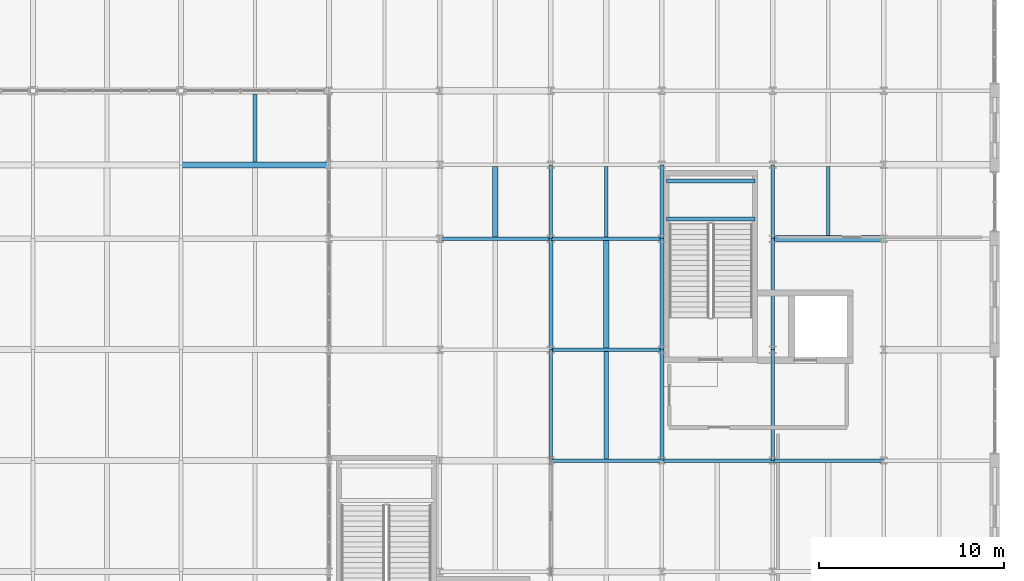
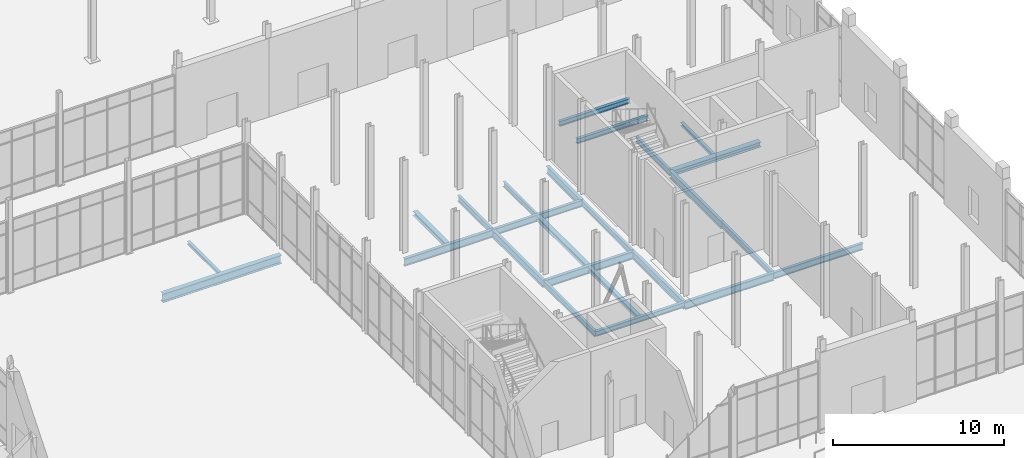
# One storey, part 85 of 140: 25 beams.
"""IFC4 building model written with IfcOpenShell, lengths in metres."""

from ifc_helpers import new_model, si_unit, direction, frame, origin, origin_2d, place, context, subcontext, project, spatial, i_section, extrude, material, material_profile, profile_set, type_object, element, save


model = new_model("IFC4")

# Units and contexts
model_context = context("Model", 3, precision=1e-05, world=origin(), true_north=direction((0.0, 1.0)))
body_context = subcontext(model_context, "Body", "Model", "MODEL_VIEW")
ifc_project = project(units=[si_unit("LENGTHUNIT", "METRE"), si_unit("AREAUNIT", "SQUARE_METRE"), si_unit("VOLUMEUNIT", "CUBIC_METRE"), si_unit("PLANEANGLEUNIT", "RADIAN"), si_unit("MASSUNIT", "GRAM", prefix="KILO")], contexts=[model_context])

# Site, building, storey
site_placement = place(None, origin())
site = spatial("IfcSite", under=ifc_project, at=site_placement, CompositionType="ELEMENT")
building_placement = place(site_placement, origin())
building = spatial("IfcBuilding", under=site, at=building_placement, Name="Verrall Gate Interchange", CompositionType="ELEMENT")
storey_placement = place(building_placement, origin())
storey = spatial("IfcBuildingStorey", under=building, at=storey_placement, Name="L01", CompositionType="ELEMENT", Elevation=0.0)

# Beams
ifc_material_1 = material(Name="Structural Steel CSA G40.21 350WT Cat 4", Category="steel")
ifc_material_profile_1 = material_profile(ifc_material_1, i_section(OverallWidth=0.323974609375, OverallDepth=0.611083984375, WebThickness=0.0126953125, FlangeThickness=0.01904296875, FilletRadius=0.014892578125, at=origin_2d()), Name="W610x155")
ifc_profile_set_1 = profile_set([ifc_material_profile_1], Name="Structural Steel CSA G40.21 350WT Cat 4")
beam_type_1 = type_object("IfcBeamType", Name="B-08 Structural Beam W610x155", PredefinedType="BEAM", material=ifc_profile_set_1)
beam_1_placement = place(storey_placement, frame((124.0, 44.0, -0.805419921875), z_axis=(1.0, 0.0, 0.0), x_axis=(0.0, 1.0, 0.0)))
element("IfcBeam", 1, at=beam_1_placement, inside=storey, type_object=beam_type_1, Name="L01 Girder BM-L01-0903 (B-08)", PredefinedType="BEAM", context=body_context, shape_type="SweptSolid", body=[
    extrude(i_section(OverallWidth=0.323974609375, OverallDepth=0.611083984375, WebThickness=0.0126953125, FlangeThickness=0.01904296875, FilletRadius=0.014892578125, at=origin_2d()), origin(), (0.0, 0.0, 1.0), 8.0),
])
ifc_material_2 = material(Name="Structural Steel CSA G40.21 350W", Category="steel")
ifc_material_profile_2 = material_profile(ifc_material_2, i_section(OverallWidth=0.2109375, OverallDepth=0.5390625, WebThickness=0.01171875, FlangeThickness=0.018798828125, FilletRadius=0.013916015625, at=origin_2d()), Name="W530x109")
ifc_profile_set_2 = profile_set([ifc_material_profile_2], Name="Structural Steel CSA G40.21 350W")
beam_type_2 = type_object("IfcBeamType", Name="B-10 Structural Beam W530x109", PredefinedType="BEAM", material=ifc_profile_set_2)
for number, where, z_axis, x_axis, name in (
    (2, (150.0, 28.0, -0.76953125), (1.0, 0.0, 0.0), (0.0, 1.0, 0.0), "L01 Girder BM-L01-0844 (B-10)"),
    (3, (144.0, 34.0, -0.76953125), (1.0, 0.0, 0.0), (0.0, 1.0, 0.0), "L01 Girder BM-L01-0865 (B-10)"),
    (4, (138.0, 40.0, -0.76953125), (1.0, 0.0, 0.0), (0.0, 1.0, 0.0), "L01 Girder BM-L01-0885 (B-10)"),
    (5, (144.0, 34.0, -0.76953125), (0.0, 1.0, 0.0), (-1.0, 0.0, 0.0), "L01 Girder BM-L01-1215 (B-10)"),
    (6, (150.0, 28.0, -0.76953125), (0.0, 1.0, 0.0), (-1.0, 0.0, 0.0), "L01 Girder BM-L01-1222 (B-10)"),
):
    element("IfcBeam", number, at=place(storey_placement, frame(where, z_axis=z_axis, x_axis=x_axis)), inside=storey, type_object=beam_type_2, Name=name, PredefinedType="BEAM", context=body_context, shape_type="SweptSolid", body=[
        extrude(i_section(OverallWidth=0.2109375, OverallDepth=0.5390625, WebThickness=0.01171875, FlangeThickness=0.018798828125, FilletRadius=0.013916015625, at=origin_2d()), origin(), (0.0, 0.0, 1.0), 6.0),
    ])
beam_2_placement = place(storey_placement, frame((150.0, 40.0, -0.76953125), z_axis=(0.0, 1.0, 0.0), x_axis=(-1.0, 0.0, 0.0)))
element("IfcBeam", 7, at=beam_2_placement, inside=storey, type_object=beam_type_2, Name="L01 Girder BM-L01-1224 (B-10)", PredefinedType="BEAM", context=body_context, shape_type="SweptSolid", body=[
    extrude(i_section(OverallWidth=0.2109375, OverallDepth=0.5390625, WebThickness=0.01171875, FlangeThickness=0.018798828125, FilletRadius=0.013916015625, at=origin_2d()), origin(), (0.0, 0.0, 1.0), 4.0),
])
beam_3_placement = place(storey_placement, frame((156.0, 34.0, -0.76953125), z_axis=(0.0, 1.0, 0.0), x_axis=(-1.0, 0.0, 0.0)))
element("IfcBeam", 8, at=beam_3_placement, inside=storey, type_object=beam_type_2, Name="L01 Girder BM-L01-1231 (B-10)", PredefinedType="BEAM", context=body_context, shape_type="SweptSolid", body=[
    extrude(i_section(OverallWidth=0.2109375, OverallDepth=0.5390625, WebThickness=0.01171875, FlangeThickness=0.018798828125, FilletRadius=0.013916015625, at=origin_2d()), origin(), (0.0, 0.0, 1.0), 6.0),
])
ifc_material_3 = material(Name="Structural Steel CSA G40.21 350W", Category="steel")
ifc_material_profile_3 = material_profile(ifc_material_3, i_section(OverallWidth=0.19189453125, OverallDepth=0.462890625, WebThickness=0.010498046875, FlangeThickness=0.017578125, FilletRadius=0.012939453125, at=origin_2d()), Name="W460x89")
ifc_profile_set_3 = profile_set([ifc_material_profile_3], Name="Structural Steel CSA G40.21 350W")
beam_type_3 = type_object("IfcBeamType", Name="B-11 Structural Beam W460x89", PredefinedType="BEAM", material=ifc_profile_set_3)
for number, where, z_axis, x_axis, name in (
    (9, (156.0, 28.0, -0.7314453125), (1.0, 0.0, 0.0), (0.0, 1.0, 0.0), "L01 Girder BM-L01-0845 (B-11)"),
    (10, (144.0, 40.0, -0.7314453125), (1.0, 0.0, 0.0), (0.0, 1.0, 0.0), "L01 Girder BM-L01-0886 (B-11)"),
):
    element("IfcBeam", number, at=place(storey_placement, frame(where, z_axis=z_axis, x_axis=x_axis)), inside=storey, type_object=beam_type_3, Name=name, PredefinedType="BEAM", context=body_context, shape_type="SweptSolid", body=[
        extrude(i_section(OverallWidth=0.19189453125, OverallDepth=0.462890625, WebThickness=0.010498046875, FlangeThickness=0.017578125, FilletRadius=0.012939453125, at=origin_2d()), origin(), (0.0, 0.0, 1.0), 6.0),
    ])
ifc_material_4 = material(Name="Structural Steel CSA G40.21 350W", Category="steel")
ifc_material_profile_4 = material_profile(ifc_material_4, i_section(OverallWidth=0.178955078125, OverallDepth=0.409912109375, WebThickness=0.0087890625, FlangeThickness=0.014404296875, FilletRadius=0.011962890625, at=origin_2d()), Name="W410x67")
ifc_profile_set_4 = profile_set([ifc_material_profile_4], Name="Structural Steel CSA G40.21 350W")
beam_type_4 = type_object("IfcBeamType", Name="B-12 Structural Beam W410x67", PredefinedType="BEAM", material=ifc_profile_set_4)
beam_4_placement = place(storey_placement, frame((144.0, 28.0, -0.705078125), z_axis=(0.0, 1.0, 0.0), x_axis=(-1.0, 0.0, 0.0)))
element("IfcBeam", 11, at=beam_4_placement, inside=storey, type_object=beam_type_4, Name="L01 Girder BM-L01-1214 (B-12)", PredefinedType="BEAM", context=body_context, shape_type="SweptSolid", body=[
    extrude(i_section(OverallWidth=0.178955078125, OverallDepth=0.409912109375, WebThickness=0.0087890625, FlangeThickness=0.014404296875, FilletRadius=0.011962890625, at=origin_2d()), origin(), (0.0, 0.0, 1.0), 6.0),
])
beam_5_placement = place(storey_placement, frame((144.0, 40.0, -0.705078125), z_axis=(0.0, 1.0, 0.0), x_axis=(-1.0, 0.0, 0.0)))
element("IfcBeam", 12, at=beam_5_placement, inside=storey, type_object=beam_type_4, Name="L01 Girder BM-L01-1216 (B-12)", PredefinedType="BEAM", context=body_context, shape_type="SweptSolid", body=[
    extrude(i_section(OverallWidth=0.178955078125, OverallDepth=0.409912109375, WebThickness=0.0087890625, FlangeThickness=0.014404296875, FilletRadius=0.011962890625, at=origin_2d()), origin(), (0.0, 0.0, 1.0), 4.0),
])
for number, where, z_axis, x_axis, name in (
    (13, (150.0, 34.0, -0.705078125), (0.0, 1.0, 0.0), (-1.0, 0.0, 0.0), "L01 Girder BM-L01-1223 (B-12)"),
    (14, (156.0, 28.0, -0.705078125), (0.0, 1.0, 0.0), (-1.0, 0.0, 0.0), "L01 Girder BM-L01-1230 (B-12)"),
):
    element("IfcBeam", number, at=place(storey_placement, frame(where, z_axis=z_axis, x_axis=x_axis)), inside=storey, type_object=beam_type_4, Name=name, PredefinedType="BEAM", context=body_context, shape_type="SweptSolid", body=[
        extrude(i_section(OverallWidth=0.178955078125, OverallDepth=0.409912109375, WebThickness=0.0087890625, FlangeThickness=0.014404296875, FilletRadius=0.011962890625, at=origin_2d()), origin(), (0.0, 0.0, 1.0), 6.0),
    ])
beam_6_placement = place(storey_placement, frame((156.0, 40.0, -0.705078125), z_axis=(0.0, 1.0, 0.0), x_axis=(-1.0, 0.0, 0.0)))
element("IfcBeam", 15, at=beam_6_placement, inside=storey, type_object=beam_type_4, Name="L01 Girder BM-L01-1232 (B-12)", PredefinedType="BEAM", context=body_context, shape_type="SweptSolid", body=[
    extrude(i_section(OverallWidth=0.178955078125, OverallDepth=0.409912109375, WebThickness=0.0087890625, FlangeThickness=0.014404296875, FilletRadius=0.011962890625, at=origin_2d()), origin(), (0.0, 0.0, 1.0), 4.0),
])
ifc_material_5 = material(Name="Structural Steel CSA G40.21 350W", Category="steel")
ifc_material_profile_5 = material_profile(ifc_material_5, i_section(OverallWidth=0.368896484375, OverallDepth=0.35595703125, WebThickness=0.01123046875, FlangeThickness=0.01806640625, FilletRadius=0.014892578125, at=origin_2d()), Name="W360x134")
ifc_profile_set_5 = profile_set([ifc_material_profile_5], Name="Structural Steel CSA G40.21 350W")
beam_type_5 = type_object("IfcBeamType", Name="B-13 Structural Beam W360x134", PredefinedType="BEAM", material=ifc_profile_set_5)
beam_7_placement = place(storey_placement, frame((156.0, 40.0, -0.677978515625), z_axis=(1.0, 0.0, 0.0), x_axis=(0.0, 1.0, 0.0)))
element("IfcBeam", 16, at=beam_7_placement, inside=storey, type_object=beam_type_5, Name="L01 Girder BM-L01-0887 (B-13)", PredefinedType="BEAM", context=body_context, shape_type="SweptSolid", body=[
    extrude(i_section(OverallWidth=0.368896484375, OverallDepth=0.35595703125, WebThickness=0.01123046875, FlangeThickness=0.01806640625, FilletRadius=0.014892578125, at=origin_2d()), origin(), (0.0, 0.0, 1.0), 6.0),
])
ifc_material_6 = material(Name="Structural Steel CSA G40.21 350W", Category="steel")
ifc_material_profile_6 = material_profile(ifc_material_6, i_section(OverallWidth=0.205078125, OverallDepth=0.35400390625, WebThickness=0.009521484375, FlangeThickness=0.016845703125, FilletRadius=0.012939453125, at=origin_2d()), Name="W360x79")
ifc_profile_set_6 = profile_set([ifc_material_profile_6], Name="Structural Steel CSA G40.21 350W")
beam_type_6 = type_object("IfcBeamType", Name="B-14 Structural Beam W360x79", PredefinedType="BEAM", material=ifc_profile_set_6)
beam_8_placement = place(storey_placement, frame((144.0, 28.0, -0.677001953125), z_axis=(1.0, 0.0, 0.0), x_axis=(0.0, 1.0, 0.0)))
element("IfcBeam", 17, at=beam_8_placement, inside=storey, type_object=beam_type_6, Name="L01 Girder BM-L01-0843 (B-14)", PredefinedType="BEAM", context=body_context, shape_type="SweptSolid", body=[
    extrude(i_section(OverallWidth=0.205078125, OverallDepth=0.35400390625, WebThickness=0.009521484375, FlangeThickness=0.016845703125, FilletRadius=0.012939453125, at=origin_2d()), origin(), (0.0, 0.0, 1.0), 6.0),
])
for number, where, z_axis, x_axis, name in (
    (18, (150.260009765625, 41.070068359375, 2.929931640625), (1.0, 0.0, 0.0), (0.0, 1.0, 0.0), "L01 Core C9 Mid-Landing Beam 1"),
    (19, (150.260009765625, 43.1201171875, 2.929931640625), (1.0, 0.0, 0.0), (0.0, 1.0, 0.0), "L01 Core C9 Mid-Landing Beam 2"),
):
    element("IfcBeam", number, at=place(storey_placement, frame(where, z_axis=z_axis, x_axis=x_axis)), inside=storey, type_object=beam_type_6, Name=name, PredefinedType="BEAM", context=body_context, shape_type="SweptSolid", body=[
        extrude(i_section(OverallWidth=0.205078125, OverallDepth=0.35400390625, WebThickness=0.009521484375, FlangeThickness=0.016845703125, FilletRadius=0.012939453125, at=origin_2d()), origin(), (0.0, 0.0, 1.0), 4.780029296875),
    ])
ifc_material_7 = material(Name="Structural Steel CSA G40.21 350W", Category="steel")
ifc_material_profile_7 = material_profile(ifc_material_7, i_section(OverallWidth=0.172119140625, OverallDepth=0.35791015625, WebThickness=0.0078125, FlangeThickness=0.01318359375, FilletRadius=0.010986328125, at=origin_2d()), Name="W360x57")
ifc_profile_set_7 = profile_set([ifc_material_profile_7], Name="Structural Steel CSA G40.21 350W")
beam_type_7 = type_object("IfcBeamType", Name="J-01 Floor Joist W360x57", PredefinedType="JOIST", material=ifc_profile_set_7)
beam_9_placement = place(storey_placement, frame((147.0, 40.095947265625, -0.678955078125), z_axis=(0.0, 1.0, 0.0), x_axis=(-1.0, 0.0, 0.0)))
element("IfcBeam", 20, at=beam_9_placement, inside=storey, type_object=beam_type_7, Name="L01 Secondary Floor Joist JST-L01-1377", PredefinedType="JOIST", context=body_context, shape_type="SweptSolid", body=[
    extrude(i_section(OverallWidth=0.172119140625, OverallDepth=0.35791015625, WebThickness=0.0078125, FlangeThickness=0.01318359375, FilletRadius=0.010986328125, at=origin_2d()), origin(), (0.0, 0.0, 1.0), 3.798583984375),
])
ifc_material_8 = material(Name="Structural Steel CSA G40.21 350W", Category="steel")
ifc_material_profile_8 = material_profile(ifc_material_8, i_section(OverallWidth=0.306884765625, OverallDepth=0.31396484375, WebThickness=0.011962890625, FlangeThickness=0.018798828125, FilletRadius=0.013916015625, at=origin_2d()), Name="W310x118")
ifc_profile_set_8 = profile_set([ifc_material_profile_8], Name="Structural Steel CSA G40.21 350W")
beam_type_8 = type_object("IfcBeamType", Name="J-02 Floor Joist W310x118", PredefinedType="JOIST", material=ifc_profile_set_8)
beam_10_placement = place(storey_placement, frame((147.0, 34.10546875, -0.656982421875), z_axis=(0.0, 1.0, 0.0), x_axis=(-1.0, 0.0, 0.0)))
element("IfcBeam", 21, at=beam_10_placement, inside=storey, type_object=beam_type_8, Name="L01 Secondary Floor Joist JST-L01-1360", PredefinedType="JOIST", context=body_context, shape_type="SweptSolid", body=[
    extrude(i_section(OverallWidth=0.306884765625, OverallDepth=0.31396484375, WebThickness=0.011962890625, FlangeThickness=0.018798828125, FilletRadius=0.013916015625, at=origin_2d()), origin(), (0.0, 0.0, 1.0), 5.798583984375),
])
beam_11_placement = place(storey_placement, frame((141.0, 40.10546875, -0.656982421875), z_axis=(0.0, 1.0, 0.0), x_axis=(-1.0, 0.0, 0.0)))
element("IfcBeam", 22, at=beam_11_placement, inside=storey, type_object=beam_type_8, Name="L01 Secondary Floor Joist JST-L01-1376", PredefinedType="JOIST", context=body_context, shape_type="SweptSolid", body=[
    extrude(i_section(OverallWidth=0.306884765625, OverallDepth=0.31396484375, WebThickness=0.011962890625, FlangeThickness=0.018798828125, FilletRadius=0.013916015625, at=origin_2d()), origin(), (0.0, 0.0, 1.0), 3.7919921875),
])
ifc_material_9 = material(Name="Structural Steel CSA G40.21 350W", Category="steel")
ifc_material_profile_9 = material_profile(ifc_material_9, i_section(OverallWidth=0.25390625, OverallDepth=0.305908203125, WebThickness=0.0087890625, FlangeThickness=0.0146484375, FilletRadius=0.012939453125, at=origin_2d()), Name="W310x79")
ifc_profile_set_9 = profile_set([ifc_material_profile_9], Name="Structural Steel CSA G40.21 350W")
beam_type_9 = type_object("IfcBeamType", Name="J-03 Floor Joist W310x79", PredefinedType="JOIST", material=ifc_profile_set_9)
beam_12_placement = place(storey_placement, frame((147.0, 28.1025390625, -0.653076171875), z_axis=(0.0, 1.0, 0.0), x_axis=(-1.0, 0.0, 0.0)))
element("IfcBeam", 23, at=beam_12_placement, inside=storey, type_object=beam_type_9, Name="L01 Secondary Floor Joist JST-L01-1342", PredefinedType="JOIST", context=body_context, shape_type="SweptSolid", body=[
    extrude(i_section(OverallWidth=0.25390625, OverallDepth=0.305908203125, WebThickness=0.0087890625, FlangeThickness=0.0146484375, FilletRadius=0.012939453125, at=origin_2d()), origin(), (0.0, 0.0, 1.0), 5.7919921875),
])
ifc_material_10 = material(Name="Structural Steel CSA G40.21 350W", Category="steel")
ifc_material_profile_10 = material_profile(ifc_material_10, i_section(OverallWidth=0.201904296875, OverallDepth=0.2470703125, WebThickness=0.00732421875, FlangeThickness=0.010986328125, FilletRadius=0.010986328125, at=origin_2d()), Name="W250x49")
ifc_profile_set_10 = profile_set([ifc_material_profile_10], Name="Structural Steel CSA G40.21 350W")
beam_type_10 = type_object("IfcBeamType", Name="J-06 Floor Joist W250x49", PredefinedType="JOIST", material=ifc_profile_set_10)
beam_13_placement = place(storey_placement, frame((159.0, 40.1845703125, -0.62353515625), z_axis=(0.0, 1.0, 0.0), x_axis=(-1.0, 0.0, 0.0)))
element("IfcBeam", 24, at=beam_13_placement, inside=storey, type_object=beam_type_10, Name="L01 Secondary Floor Joist JST-L01-1378", PredefinedType="JOIST", context=body_context, shape_type="SweptSolid", body=[
    extrude(i_section(OverallWidth=0.201904296875, OverallDepth=0.2470703125, WebThickness=0.00732421875, FlangeThickness=0.010986328125, FilletRadius=0.010986328125, at=origin_2d()), origin(), (0.0, 0.0, 1.0), 3.725830078125),
])
ifc_material_11 = material(Name="Structural Steel CSA G40.21 350W", Category="steel")
ifc_material_profile_11 = material_profile(ifc_material_11, i_section(OverallWidth=0.202880859375, OverallDepth=0.202880859375, WebThickness=0.007080078125, FlangeThickness=0.010986328125, FilletRadius=0.010009765625, at=origin_2d()), Name="W200x46")
ifc_profile_set_11 = profile_set([ifc_material_profile_11], Name="Structural Steel CSA G40.21 350W")
beam_type_11 = type_object("IfcBeamType", Name="J-07 Floor Joist W200x46", PredefinedType="JOIST", material=ifc_profile_set_11)
beam_14_placement = place(storey_placement, frame((128.0, 44.162109375, -0.6015625), z_axis=(0.0, 1.0, 0.0), x_axis=(-1.0, 0.0, 0.0)))
element("IfcBeam", 25, at=beam_14_placement, inside=storey, type_object=beam_type_11, Name="L01 Secondary Floor Joist JST-L01-1393", PredefinedType="JOIST", context=body_context, shape_type="SweptSolid", body=[
    extrude(i_section(OverallWidth=0.202880859375, OverallDepth=0.202880859375, WebThickness=0.007080078125, FlangeThickness=0.010986328125, FilletRadius=0.010009765625, at=origin_2d()), origin(), (0.0, 0.0, 1.0), 3.67578125),
])

save(model, "model.ifc")
